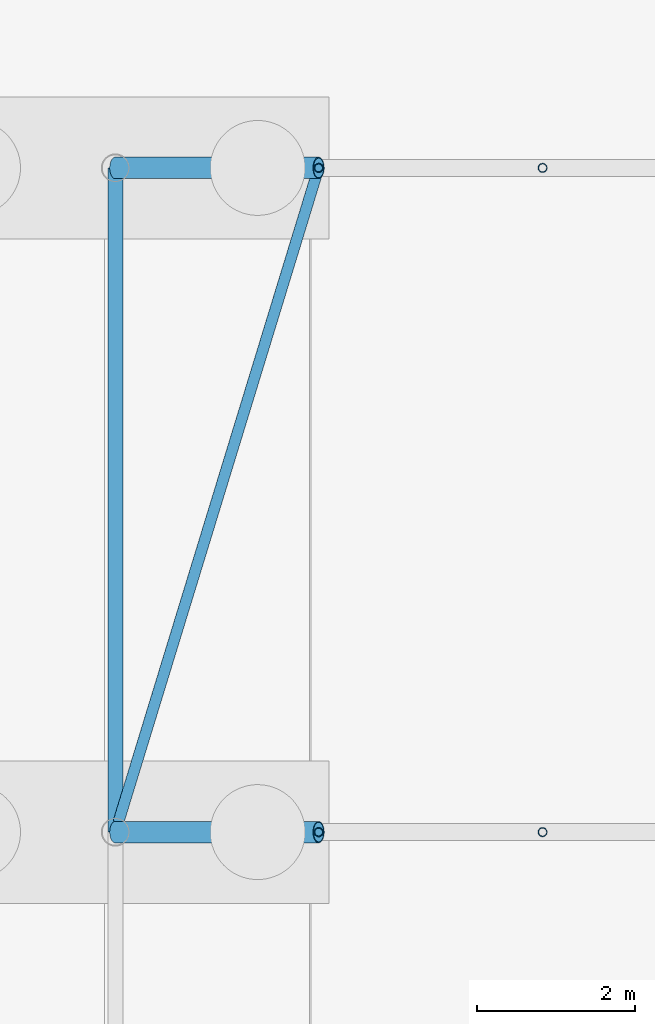
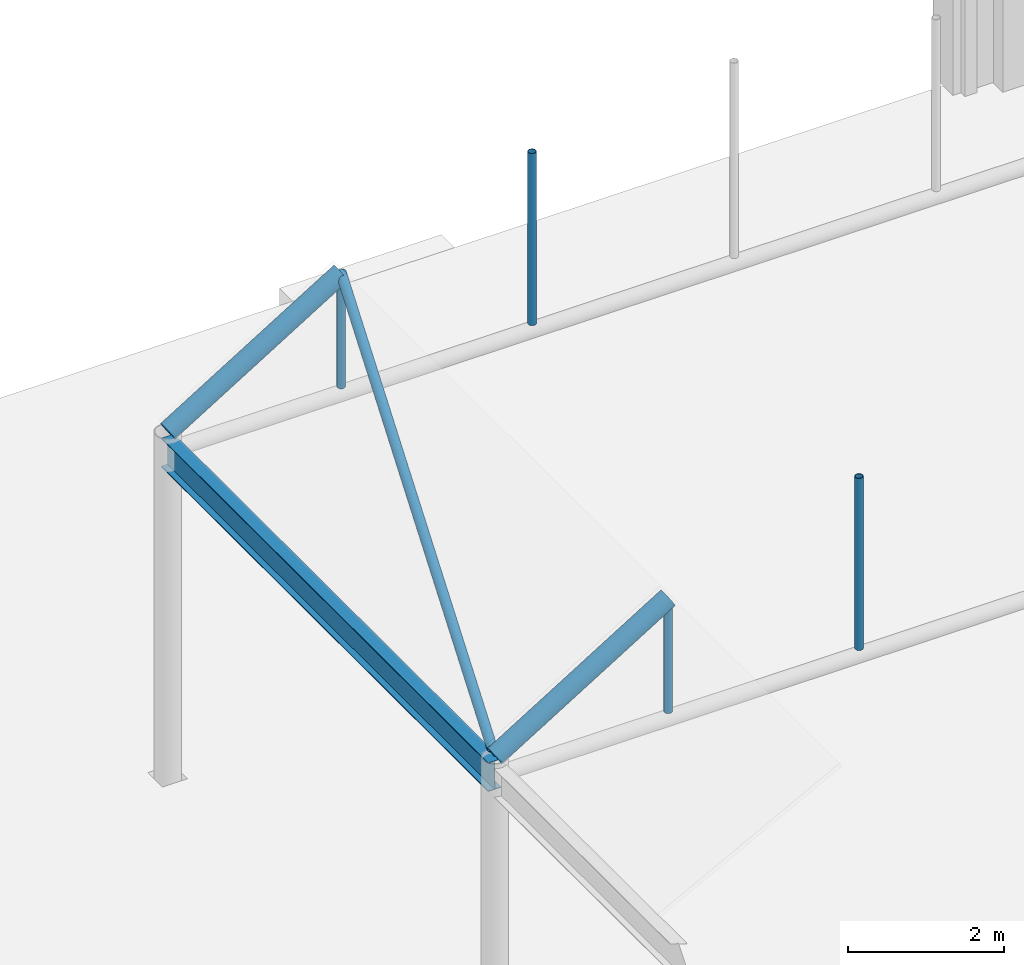
# One storey, part 158 of 212: 7 members, 1 beam.
"""IFC4 building model written with IfcOpenShell, lengths in metres."""

import ifcopenshell
import ifcopenshell.guid

model = None  # the IFC model being written
_history = None  # IfcOwnerHistory: only IFC2X3 demands one
_inside = {}  # id of a spatial element -> (the spatial element, [elements in it])
_under = {}  # id of a project, library or spatial element -> (it, [spatial elements below it])
_declared = {}  # id of a project -> (the project, [libraries it declares])
_typed = {}  # id of a type object -> (the type object, [elements of that type])
_made_of = {}  # id of a material, layer set ... -> (it, [elements and type objects made of it])


def new_model(schema):
    """Start an empty IFC model of exactly this schema.

    Asked for "IFC4X3", IfcOpenShell would pick the latest addendum, in which some entities
    have other attributes; the version numbers below select the first issue.
    IFC2X3 requires an IfcOwnerHistory on every rooted entity: one is made here for all.
    """
    global model, _history
    if schema == "IFC4X3":
        model = ifcopenshell.file(schema_version=(4, 3, 0, 0))
    else:
        model = ifcopenshell.file(schema=schema)
    _inside.clear()
    _under.clear()
    _declared.clear()
    _typed.clear()
    _made_of.clear()
    _history = None
    if model.schema == "IFC2X3":
        org = make("IfcOrganization", Name="unknown")
        user = make(
            "IfcPersonAndOrganization",
            ThePerson=make("IfcPerson", FamilyName="unknown"),
            TheOrganization=org,
        )
        app = make(
            "IfcApplication",
            ApplicationDeveloper=org,
            Version="unknown",
            ApplicationFullName="unknown",
            ApplicationIdentifier="unknown",
        )
        _history = make(
            "IfcOwnerHistory",
            OwningUser=user,
            OwningApplication=app,
            ChangeAction="ADDED",
            CreationDate=0,
        )
    return model


def make(cls, **values):
    """One entity of the class cls with the attributes given. An attribute that is None is left unset."""
    return model.create_entity(
        cls, **{name: value for name, value in values.items() if value is not None}
    )


def rooted(cls, **values):
    """An entity with a GlobalId (a new one), such as an element, a storey or a relation."""
    return make(cls, GlobalId=ifcopenshell.guid.new(), OwnerHistory=_history, **values)


def si_unit(unit_type, name, prefix=None):
    """IfcSIUnit, for example si_unit("LENGTHUNIT", "METRE", prefix="MILLI")."""
    return make("IfcSIUnit", UnitType=unit_type, Prefix=prefix, Name=name)


def assignment(units):
    """IfcUnitAssignment: the units of a project."""
    return None if units is None else make("IfcUnitAssignment", Units=units)


def point(xyz):
    """IfcCartesianPoint."""
    return None if xyz is None else make("IfcCartesianPoint", Coordinates=xyz)


def direction(xyz):
    """IfcDirection."""
    return None if xyz is None else make("IfcDirection", DirectionRatios=xyz)


def frame(location, z_axis=None, x_axis=None):
    """IfcAxis2Placement3D, a coordinate frame: its origin and axes. An axis left out is left unset."""
    return make(
        "IfcAxis2Placement3D",
        Location=point(location),
        Axis=direction(z_axis),
        RefDirection=direction(x_axis),
    )


def frame_2d(location, x_axis=None):
    """IfcAxis2Placement2D, a coordinate frame in the plane: its origin and x axis."""
    return make(
        "IfcAxis2Placement2D", Location=point(location), RefDirection=direction(x_axis)
    )


def origin():
    """The frame at (0, 0, 0) with its axes left unset."""
    return frame((0.0, 0.0, 0.0))


def origin_2d():
    """The frame at (0, 0) in the plane with its x axis left unset."""
    return frame_2d((0.0, 0.0))


def place(relative_to, where):
    """IfcLocalPlacement: puts the frame where relative to a parent placement (None: the world)."""
    return make(
        "IfcLocalPlacement", PlacementRelTo=relative_to, RelativePlacement=where
    )


def context(
    kind, dimensions, precision=None, world=None, true_north=None, identifier=None
):
    """IfcGeometricRepresentationContext, for example the 3D "Model" context."""
    return make(
        "IfcGeometricRepresentationContext",
        ContextIdentifier=identifier,
        ContextType=kind,
        CoordinateSpaceDimension=dimensions,
        Precision=precision,
        WorldCoordinateSystem=world,
        TrueNorth=true_north,
    )


def subcontext(parent, identifier, kind, view, scale=None):
    """IfcGeometricRepresentationSubContext, for example "Body" below "Model"."""
    return make(
        "IfcGeometricRepresentationSubContext",
        ContextIdentifier=identifier,
        ContextType=kind,
        ParentContext=parent,
        TargetScale=scale,
        TargetView=view,
    )


def project(units=None, contexts=None):
    """IfcProject with its units and contexts."""
    return rooted(
        "IfcProject",
        Name="project",
        RepresentationContexts=contexts,
        UnitsInContext=assignment(units),
    )


def spatial(cls, under=None, at=None, **own):
    """A site, building, storey or space (cls), placed at a placement, below another one or the project."""
    s = rooted(cls, ObjectPlacement=at, **own)
    if under is not None:
        _under.setdefault(under.id(), (under, []))[1].append(s)
    return s


def profile(cls, at=None, kind="AREA", **sizes):
    """A parametric profile (cls). Its sizes go by their IFC names, for example OverallWidth=200.0."""
    return make(cls, ProfileType=kind, Position=at, **sizes)


def hollow_circle(**sizes):
    """IfcCircleHollowProfileDef."""
    return profile("IfcCircleHollowProfileDef", **sizes)


def i_section(**sizes):
    """IfcIShapeProfileDef."""
    return profile("IfcIShapeProfileDef", **sizes)


def extrude(swept, where, along, depth):
    """IfcExtrudedAreaSolid: the profile swept, set in the frame where, extruded along a direction by depth."""
    return make(
        "IfcExtrudedAreaSolid",
        SweptArea=swept,
        Position=where,
        ExtrudedDirection=direction(along),
        Depth=depth,
    )


def shape(context_of_items, identifier, shape_type, items):
    """IfcShapeRepresentation: the items that make up one representation, for example the "Body"."""
    return make(
        "IfcShapeRepresentation",
        ContextOfItems=context_of_items,
        RepresentationIdentifier=identifier,
        RepresentationType=shape_type,
        Items=items,
    )


def material(Name=None, Category=None):
    """IfcMaterial."""
    return make("IfcMaterial", Name=Name, Category=Category)


def material_profile(
    of_material, cross_section, Name=None, Category=None, Priority=None
):
    """IfcMaterialProfile: a cross section and its material."""
    return make(
        "IfcMaterialProfile",
        Name=Name,
        Material=of_material,
        Profile=cross_section,
        Priority=Priority,
        Category=Category,
    )


def profile_set(profiles, Name=None, composite=None):
    """IfcMaterialProfileSet."""
    return make(
        "IfcMaterialProfileSet",
        Name=Name,
        MaterialProfiles=profiles,
        CompositeProfile=composite,
    )


def made_of(thing, what):
    """Note that an element or type object is made of a material, layer set ...; save() writes the relation."""
    if what is not None:
        _made_of.setdefault(what.id(), (what, []))[1].append(thing)
    return thing


def type_object(cls, material=None, **own):
    """A type object (cls), such as IfcWallType, which elements share."""
    return made_of(rooted(cls, **own), material)


def element(
    cls,
    number,
    at=None,
    inside=None,
    cuts=None,
    type_object=None,
    material=None,
    context=None,
    identifier="Body",
    shape_type=None,
    held_by="IfcProductDefinitionShape",
    body=None,
    shapes=None,
    **own,
):
    """One element of the class cls, such as IfcWall. Its Tag is "e" and its number.

    at: its placement. inside: the storey or other place that contains it. cuts: it is an
    opening in that element (IfcRelVoidsElement). A single representation is given by context,
    identifier, shape_type and body (its items); several are given by shapes. held_by: the class
    of the entity that holds the representations. save() writes the other relations.
    """
    e = rooted(cls, Tag="e%d" % number, ObjectPlacement=at, **own)
    if body is not None:
        shapes = [shape(context, identifier, shape_type, body)]
    if shapes is not None:
        e.Representation = make(held_by, Representations=shapes)
    if inside is not None:
        _inside.setdefault(inside.id(), (inside, []))[1].append(e)
    if cuts is not None:
        rooted(
            "IfcRelVoidsElement", RelatingBuildingElement=cuts, RelatedOpeningElement=e
        )
    if type_object is not None:
        _typed.setdefault(type_object.id(), (type_object, []))[1].append(e)
    return made_of(e, material)


def aggregate(whole, parts):
    """IfcRelAggregates: a whole, such as a stair, and the parts it consists of."""
    return rooted("IfcRelAggregates", RelatingObject=whole, RelatedObjects=parts)


def save(model, path):
    """Write the relations noted so far, then the file.

    IfcRelAggregates (storeys below a building ...), IfcRelContainedInSpatialStructure (elements
    in a storey), IfcRelDefinesByType, IfcRelAssociatesMaterial and IfcRelDeclares: one each for
    every whole, place, type object, material and project.
    """
    for whole, parts in _under.values():
        aggregate(whole, parts)
    for where, things in _inside.values():
        rooted(
            "IfcRelContainedInSpatialStructure",
            RelatedElements=things,
            RelatingStructure=where,
        )
    for kind, things in _typed.values():
        rooted("IfcRelDefinesByType", RelatedObjects=things, RelatingType=kind)
    for what, things in _made_of.values():
        rooted("IfcRelAssociatesMaterial", RelatedObjects=things, RelatingMaterial=what)
    for by, libraries in _declared.values():
        rooted("IfcRelDeclares", RelatingContext=by, RelatedDefinitions=libraries)
    model.write(path)


model = new_model("IFC4")

# Units and contexts
model_context = context("Model", 3, precision=1e-05, world=origin(), true_north=direction((0.0, 1.0)))
body_context = subcontext(model_context, "Body", "Model", "MODEL_VIEW")
ifc_project = project(units=[si_unit("LENGTHUNIT", "METRE"), si_unit("AREAUNIT", "SQUARE_METRE"), si_unit("VOLUMEUNIT", "CUBIC_METRE"), si_unit("PLANEANGLEUNIT", "RADIAN"), si_unit("MASSUNIT", "GRAM", prefix="KILO")], contexts=[model_context])

# Site, building, storey
site_placement = place(None, origin())
site = spatial("IfcSite", under=ifc_project, at=site_placement, CompositionType="ELEMENT")
building_placement = place(site_placement, origin())
building = spatial("IfcBuilding", under=site, at=building_placement, Name="Catenary Quay Ferry Terminal", CompositionType="ELEMENT")
storey_placement = place(building_placement, origin())
storey = spatial("IfcBuildingStorey", under=building, at=storey_placement, Name="L00", CompositionType="ELEMENT", Elevation=0.0)

# Beam
ifc_material_1 = material(Name="Steel S355", Category="steel")
ifc_material_profile_1 = material_profile(ifc_material_1, i_section(OverallWidth=0.18994140625, OverallDepth=0.453369140625, WebThickness=0.008544921875, FlangeThickness=0.0126953125, at=origin_2d()), Name="UB 457x191x67")
ifc_profile_set_1 = profile_set([ifc_material_profile_1], Name="Steel S355")
beam_type = type_object("IfcBeamType", Name="B1 UB 457x191x67", PredefinedType="BEAM", material=ifc_profile_set_1)
beam_placement = place(storey_placement, frame((8.39990234375, 193.199951171875, 5.10009765625), z_axis=(0.0, 1.0, 0.0), x_axis=(-1.0, 0.0, 0.0)))
element("IfcBeam", 1, at=beam_placement, inside=storey, type_object=beam_type, Name="Eaves beam B-FB16", PredefinedType="BEAM", context=body_context, shape_type="SweptSolid", body=[
    extrude(i_section(OverallWidth=0.18994140625, OverallDepth=0.453369140625, WebThickness=0.008544921875, FlangeThickness=0.0126953125, at=origin_2d()), origin(), (0.0, 0.0, 1.0), 8.400146484375),
])

# Members
ifc_material_2 = material(Name="Steel S355", Category="steel")
ifc_material_profile_2 = material_profile(ifc_material_2, hollow_circle(Radius=0.06982421875, WallThickness=0.008056640625, at=origin_2d()), Name="CHS 139.7x8")
ifc_profile_set_2 = profile_set([ifc_material_profile_2], Name="Steel S355")
member_type_1 = type_object("IfcMemberType", Name="BR1 CHS 139.7x8", PredefinedType="BRACE", material=ifc_profile_set_2)
member_1_placement = place(storey_placement, frame((8.43994140625, 193.330078125, 5.425048828125), z_axis=(0.288006581724, 0.941056713544, 0.177382273011), x_axis=(-0.956220431368, 0.292647375922, 0.0)))
element("IfcMember", 2, at=member_1_placement, inside=storey, type_object=member_type_1, Name="Roof brace BR-FC-16-01", PredefinedType="BRACE", context=body_context, shape_type="SweptSolid", body=[
    extrude(hollow_circle(Radius=0.06982421875, WallThickness=0.008056640625, at=origin_2d()), origin(), (0.0, 0.0, 1.0), 8.7880859375),
])
ifc_material_3 = material(Name="Steel S355", Category="steel")
ifc_material_profile_3 = material_profile(ifc_material_3, hollow_circle(Radius=0.05712890625, WallThickness=0.00634765625, at=origin_2d()), Name="CHS 114.3x6.3")
ifc_profile_set_3 = profile_set([ifc_material_profile_3], Name="Steel S355")
member_type_2 = type_object("IfcMemberType", Name="HG1 CHS 114.3x6.3", PredefinedType="POST", material=ifc_profile_set_3)
member_2_placement = place(storey_placement, frame((10.970947265625, 193.199951171875, 5.205078125), z_axis=(0.0, 0.0, 1.0), x_axis=(1.0, 0.0, 0.0)))
element("IfcMember", 3, at=member_2_placement, inside=storey, type_object=member_type_2, Name="Hanger FC-16-01", PredefinedType="POST", context=body_context, shape_type="SweptSolid", body=[
    extrude(hollow_circle(Radius=0.05712890625, WallThickness=0.00634765625, at=origin_2d()), origin(), (0.0, 0.0, 1.0), 1.64892578125),
])
member_3_placement = place(storey_placement, frame((13.802978515625, 193.199951171875, 5.205078125), z_axis=(0.0, 0.0, 1.0), x_axis=(1.0, 0.0, 0.0)))
element("IfcMember", 4, at=member_3_placement, inside=storey, type_object=member_type_2, Name="Hanger FC-16-02", PredefinedType="POST", context=body_context, shape_type="SweptSolid", body=[
    extrude(hollow_circle(Radius=0.05712890625, WallThickness=0.00634765625, at=origin_2d()), origin(), (0.0, 0.0, 1.0), 2.69580078125),
])
member_4_placement = place(storey_placement, frame((10.970947265625, 201.60009765625, 5.205078125), z_axis=(0.0, 0.0, 1.0), x_axis=(1.0, 0.0, 0.0)))
element("IfcMember", 5, at=member_4_placement, inside=storey, type_object=member_type_2, Name="Hanger FC-17-01", PredefinedType="POST", context=body_context, shape_type="SweptSolid", body=[
    extrude(hollow_circle(Radius=0.05712890625, WallThickness=0.00634765625, at=origin_2d()), origin(), (0.0, 0.0, 1.0), 1.64892578125),
])
member_5_placement = place(storey_placement, frame((13.802978515625, 201.60009765625, 5.205078125), z_axis=(0.0, 0.0, 1.0), x_axis=(1.0, 0.0, 0.0)))
element("IfcMember", 6, at=member_5_placement, inside=storey, type_object=member_type_2, Name="Hanger FC-17-02", PredefinedType="POST", context=body_context, shape_type="SweptSolid", body=[
    extrude(hollow_circle(Radius=0.05712890625, WallThickness=0.00634765625, at=origin_2d()), origin(), (0.0, 0.0, 1.0), 2.69580078125),
])
ifc_material_4 = material(Name="Steel S355", Category="steel")
ifc_material_profile_4 = material_profile(ifc_material_4, hollow_circle(Radius=0.136474609375, WallThickness=0.012451171875, at=origin_2d()), Name="CHS 273x12.5")
ifc_profile_set_4 = profile_set([ifc_material_profile_4], Name="Steel S355")
member_type_3 = type_object("IfcMemberType", Name="VR2 CHS 273x12.5", PredefinedType="RAFTER", material=ifc_profile_set_4)
for number, where, z_axis, x_axis, name in (
    (7, (8.39990234375, 193.199951171875, 5.39990234375), (0.851391726314, 0.0, 0.524530388408), (0.0, 1.0, 0.0), "rib FC-16-01"),
    (8, (8.39990234375, 201.60009765625, 5.39990234375), (0.851391726314, 0.0, 0.524530388408), (0.0, 1.0, 0.0), "rib FC-17-01"),
):
    element("IfcMember", number, at=place(storey_placement, frame(where, z_axis=z_axis, x_axis=x_axis)), inside=storey, type_object=member_type_3, Name=name, PredefinedType="RAFTER", context=body_context, shape_type="SweptSolid", body=[
        extrude(hollow_circle(Radius=0.136474609375, WallThickness=0.012451171875, at=origin_2d()), origin(), (0.0, 0.0, 1.0), 3.019775390625),
    ])

save(model, "model.ifc")
